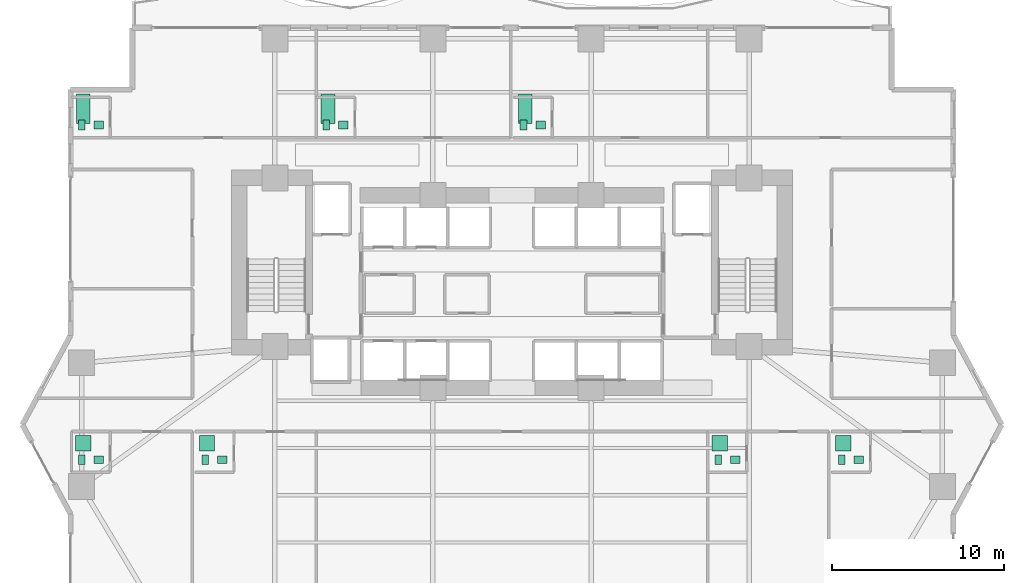
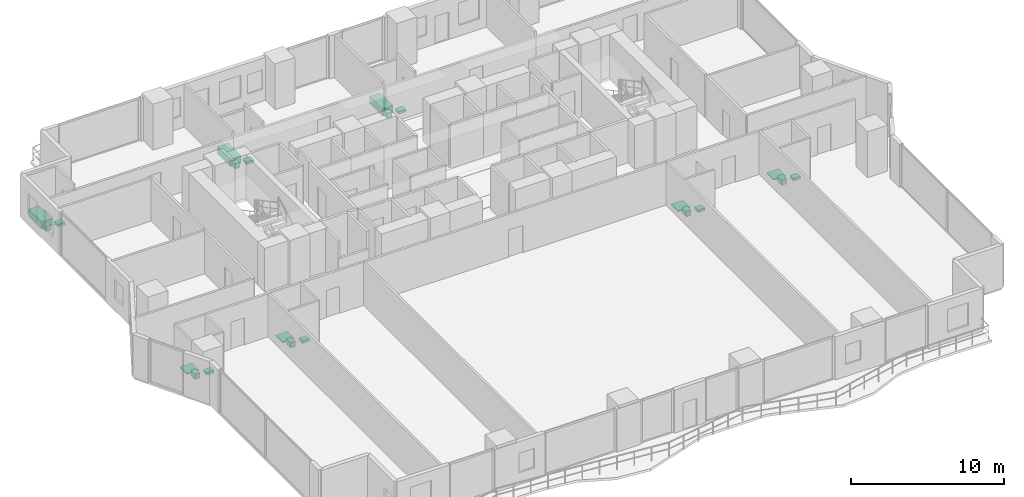
# One storey, part 28 of 28: 21 sanitary terminals.
"""IFC4 building model written with IfcOpenShell, lengths in metres."""

from ifc_helpers import new_model, si_unit, direction, frame, origin, origin_2d, place, context, subcontext, project, spatial, rectangle, extrude, material, type_object, element, save


model = new_model("IFC4")

# Units and contexts
model_context = context("Model", 3, precision=1e-05, world=origin(), true_north=direction((0.0, 1.0)))
body_context = subcontext(model_context, "Body", "Model", "MODEL_VIEW")
ifc_project = project(units=[si_unit("LENGTHUNIT", "METRE"), si_unit("AREAUNIT", "SQUARE_METRE"), si_unit("VOLUMEUNIT", "CUBIC_METRE"), si_unit("PLANEANGLEUNIT", "RADIAN"), si_unit("MASSUNIT", "GRAM", prefix="KILO")], contexts=[model_context])

# Site, building, storey
site_placement = place(None, origin())
site = spatial("IfcSite", under=ifc_project, at=site_placement, CompositionType="ELEMENT")
building_placement = place(site_placement, origin())
building = spatial("IfcBuilding", under=site, at=building_placement, Name="Zuhayl Quay Hotel", CompositionType="ELEMENT")
storey_placement = place(building_placement, frame((0.0, 0.0, 71.39990234375)))
storey = spatial("IfcBuildingStorey", under=building, at=storey_placement, Name="L17", CompositionType="ELEMENT", Elevation=71.39990234375)

# Sanitary terminals
ifc_material = material(Name="Vitreous Porcelain Sanitaryware")
sanitary_terminal_type_1 = type_object("IfcSanitaryTerminalType", Name="SAN_BASIN", PredefinedType="WASHHANDBASIN", material=ifc_material)
for number, where, z_axis, x_axis, name in (
    (1, (-24.050048828125, 17.43994140625, 0.0), (0.0, 0.0, 1.0), (1.0, 0.0, 0.0), "L17 Sanitary Fixture WASHHANDBASIN"),
    (2, (-9.81005859375, 17.43994140625, 0.0), (0.0, 0.0, 1.0), (1.0, 0.0, 0.0), "L17 Sanitary Fixture WASHHANDBASIN"),
    (3, (1.669921875, 17.43994140625, 0.0), (0.0, 0.0, 1.0), (1.0, 0.0, 0.0), "L17 Sanitary Fixture WASHHANDBASIN"),
    (4, (-24.050048828125, -2.0400390625, 0.0), (0.0, 0.0, 1.0), (1.0, 0.0, 0.0), "L17 Sanitary Fixture WASHHANDBASIN"),
    (5, (-16.85009765625, -2.0400390625, 0.0), (0.0, 0.0, 1.0), (1.0, 0.0, 0.0), "L17 Sanitary Fixture WASHHANDBASIN"),
    (6, (12.989990234375, -2.0400390625, 0.0), (0.0, 0.0, 1.0), (1.0, 0.0, 0.0), "L17 Sanitary Fixture WASHHANDBASIN"),
    (7, (20.18994140625, -2.0400390625, 0.0), (0.0, 0.0, 1.0), (1.0, 0.0, 0.0), "L17 Sanitary Fixture WASHHANDBASIN"),
):
    element("IfcSanitaryTerminal", number, at=place(storey_placement, frame(where, z_axis=z_axis, x_axis=x_axis)), inside=storey, type_object=sanitary_terminal_type_1, Name=name, PredefinedType="WASHHANDBASIN", context=body_context, shape_type="SweptSolid", body=[
        extrude(rectangle(XDim=0.550048828125, YDim=0.449951171875, at=origin_2d()), origin(), (0.0, 0.0, 1.0), 0.199951171875),
    ])
sanitary_terminal_type_2 = type_object("IfcSanitaryTerminalType", Name="SAN_BATH", PredefinedType="BATH", material=ifc_material)
for number, where, z_axis, x_axis, name in (
    (8, (-24.949951171875, 18.389892578125, 0.0), (0.0, 0.0, 1.0), (1.0, 0.0, 0.0), "L17 Sanitary Fixture BATH"),
    (9, (-10.7099609375, 18.389892578125, 0.0), (0.0, 0.0, 1.0), (1.0, 0.0, 0.0), "L17 Sanitary Fixture BATH"),
    (10, (0.77001953125, 18.389892578125, 0.0), (0.0, 0.0, 1.0), (1.0, 0.0, 0.0), "L17 Sanitary Fixture BATH"),
):
    element("IfcSanitaryTerminal", number, at=place(storey_placement, frame(where, z_axis=z_axis, x_axis=x_axis)), inside=storey, type_object=sanitary_terminal_type_2, Name=name, PredefinedType="BATH", context=body_context, shape_type="SweptSolid", body=[
        extrude(rectangle(XDim=0.800048828125, YDim=1.699951171875, at=origin_2d()), origin(), (0.0, 0.0, 1.0), 0.580078125),
    ])
sanitary_terminal_type_3 = type_object("IfcSanitaryTerminalType", Name="SAN_SHOWER", PredefinedType="SHOWER", material=ifc_material)
for number, where, z_axis, x_axis, name in (
    (11, (-24.949951171875, -1.090087890625, 0.0), (0.0, 0.0, 1.0), (1.0, 0.0, 0.0), "L17 Sanitary Fixture SHOWER"),
    (12, (-17.75, -1.090087890625, 0.0), (0.0, 0.0, 1.0), (1.0, 0.0, 0.0), "L17 Sanitary Fixture SHOWER"),
    (13, (12.090087890625, -1.090087890625, 0.0), (0.0, 0.0, 1.0), (1.0, 0.0, 0.0), "L17 Sanitary Fixture SHOWER"),
    (14, (19.2900390625, -1.090087890625, 0.0), (0.0, 0.0, 1.0), (1.0, 0.0, 0.0), "L17 Sanitary Fixture SHOWER"),
):
    element("IfcSanitaryTerminal", number, at=place(storey_placement, frame(where, z_axis=z_axis, x_axis=x_axis)), inside=storey, type_object=sanitary_terminal_type_3, Name=name, PredefinedType="SHOWER", context=body_context, shape_type="SweptSolid", body=[
        extrude(rectangle(XDim=0.89990234375, YDim=0.89990234375, at=origin_2d()), origin(), (0.0, 0.0, 1.0), 0.080078125),
    ])
sanitary_terminal_type_4 = type_object("IfcSanitaryTerminalType", Name="SAN_WC", PredefinedType="TOILETPAN", material=ifc_material)
for number, where, z_axis, x_axis, name in (
    (15, (-25.050048828125, 17.43994140625, 0.000244140625), (0.0, 0.0, 1.0), (1.0, 0.0, 0.0), "L17 Sanitary Fixture TOILETPAN"),
    (16, (-10.81005859375, 17.43994140625, 0.000244140625), (0.0, 0.0, 1.0), (1.0, 0.0, 0.0), "L17 Sanitary Fixture TOILETPAN"),
    (17, (0.669921875, 17.43994140625, 0.000244140625), (0.0, 0.0, 1.0), (1.0, 0.0, 0.0), "L17 Sanitary Fixture TOILETPAN"),
    (18, (-25.050048828125, -2.0400390625, 0.000244140625), (0.0, 0.0, 1.0), (1.0, 0.0, 0.0), "L17 Sanitary Fixture TOILETPAN"),
    (19, (-17.85009765625, -2.0400390625, 0.000244140625), (0.0, 0.0, 1.0), (1.0, 0.0, 0.0), "L17 Sanitary Fixture TOILETPAN"),
    (20, (11.989990234375, -2.0400390625, 0.000244140625), (0.0, 0.0, 1.0), (1.0, 0.0, 0.0), "L17 Sanitary Fixture TOILETPAN"),
    (21, (19.18994140625, -2.0400390625, 0.000244140625), (0.0, 0.0, 1.0), (1.0, 0.0, 0.0), "L17 Sanitary Fixture TOILETPAN"),
):
    element("IfcSanitaryTerminal", number, at=place(storey_placement, frame(where, z_axis=z_axis, x_axis=x_axis)), inside=storey, type_object=sanitary_terminal_type_4, Name=name, PredefinedType="TOILETPAN", context=body_context, shape_type="SweptSolid", body=[
        extrude(rectangle(XDim=0.3798828125, YDim=0.56005859375, at=origin_2d()), origin(), (0.0, 0.0, 1.0), 0.419921875),
    ])

save(model, "model.ifc")
